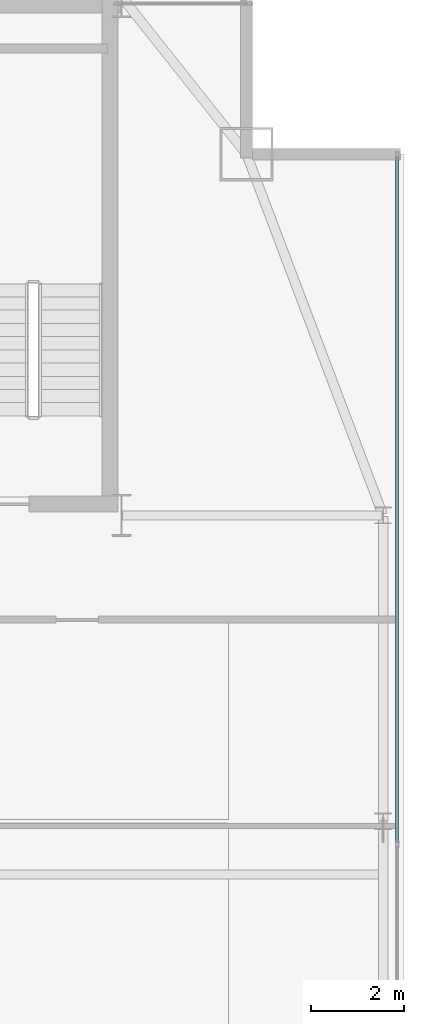
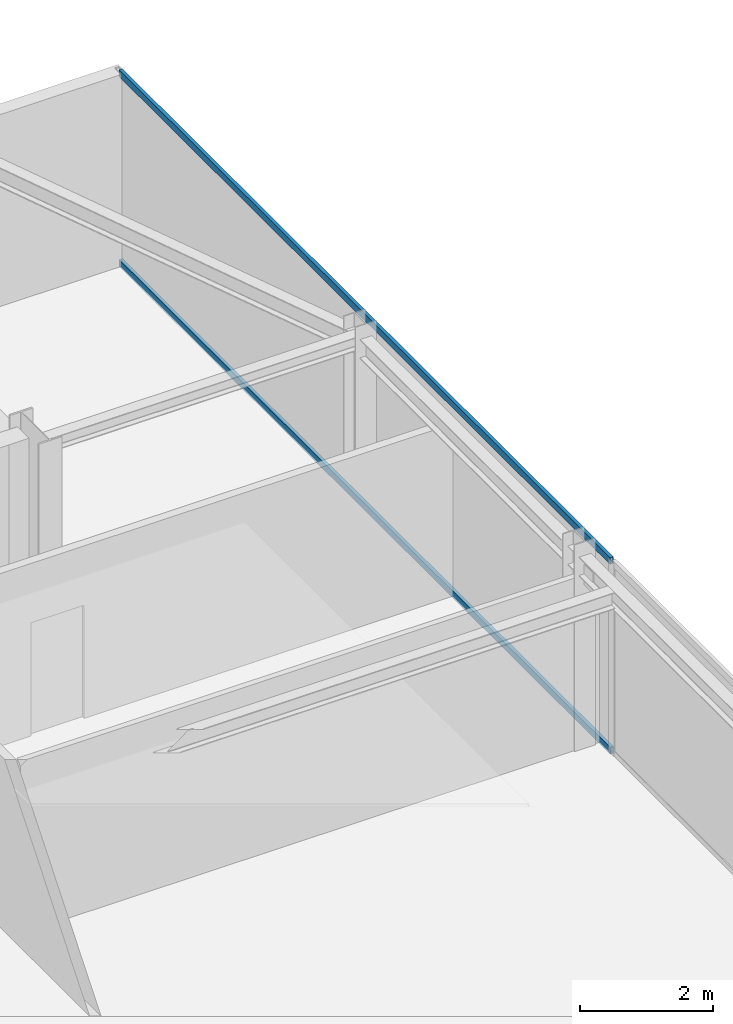
# One storey, part 20 of 30: 2 members, 1 element without a shape of its own.
"""IFC4 building model written with IfcOpenShell, lengths in metres."""

from ifc_helpers import new_model, si_unit, direction, frame, origin, origin_2d, place, context, subcontext, project, spatial, hollow_rectangle, extrude, source, transform, mapped, material, layer, layer_set, material_profile, profile_set, type_object, type_shapes, element, aggregate, save


model = new_model("IFC4")

# Units and contexts
model_context = context("Model", 3, precision=1e-05, world=origin(), true_north=direction((0.0, 1.0)))
body_context = subcontext(model_context, "Body", "Model", "MODEL_VIEW")
ifc_project = project(units=[si_unit("LENGTHUNIT", "METRE"), si_unit("AREAUNIT", "SQUARE_METRE"), si_unit("VOLUMEUNIT", "CUBIC_METRE"), si_unit("PLANEANGLEUNIT", "RADIAN"), si_unit("MASSUNIT", "GRAM", prefix="KILO")], contexts=[model_context])

# Site, building, storey
site_placement = place(None, origin())
site = spatial("IfcSite", under=ifc_project, at=site_placement, CompositionType="ELEMENT")
building_placement = place(site_placement, origin())
building = spatial("IfcBuilding", under=site, at=building_placement, Name="Varnel Quay Broadcast Tower", CompositionType="ELEMENT")
storey_placement = place(building_placement, frame((0.0, 0.0, 211.199951171875)))
storey = spatial("IfcBuildingStorey", under=building, at=storey_placement, Name="L52", CompositionType="ELEMENT", Elevation=211.199951171875)

# Curtain wall, members
ifc_material = material(Name="Anodised Bronze Aluminium 6063-T6", Category="aluminium")
ifc_layer = layer(ifc_material, 0.18994140625, Name="Anodised Bronze Aluminium 6063-T6")
ifc_layer_set = layer_set([ifc_layer], Name="Anodised Bronze Aluminium 6063-T6")
curtain_wall_type = type_object("IfcCurtainWallType", Name="CW_UpperTower", PredefinedType="NOTDEFINED", material=ifc_layer_set)
curtain_wall_placement = place(storey_placement, origin())
curtain_wall = element("IfcCurtainWall", 1, at=curtain_wall_placement, inside=storey, type_object=curtain_wall_type, Name="L52 East Unitised Curtain Wall", PredefinedType="NOTDEFINED")
ifc_material_profile = material_profile(ifc_material, hollow_rectangle(XDim=0.06005859375, YDim=0.125, WallThickness=0.0029296875, at=origin_2d()), Name="ALU60X125X3")
ifc_profile_set = profile_set([ifc_material_profile], Name="Anodised Bronze Aluminium 6063-T6")
member_type = type_object("IfcMemberType", Name="Tran_CWS-03", PredefinedType="USERDEFINED", material=ifc_profile_set)
shared_shape = source(origin(), body_context, "Body", "SweptSolid", [
    extrude(hollow_rectangle(XDim=0.06005859375, YDim=0.125, WallThickness=0.0029296875, at=origin_2d()), origin(), (0.0, 0.0, 1.0), 14.802490234375),
])
type_shapes(member_type, [shared_shape])
member_1_placement = place(storey_placement, frame((58.35009765625, 28.532470703125, 0.030029296875), z_axis=(0.0, 1.0, 0.0), x_axis=(-1.0, 0.0, 0.0)))
member_1 = element("IfcMember", 2, at=member_1_placement, type_object=member_type, Name="CWS-03 transom 2.1", ObjectType="TRANSOM", PredefinedType="USERDEFINED", context=body_context, shape_type="MappedRepresentation", body=[
    mapped(shared_shape, transform((0.0, 0.0, 0.0), x_axis=(1.0, 0.0, 0.0), y_axis=(0.0, 1.0, 0.0), z_axis=(0.0, 0.0, 1.0), scale=1.0)),
])
member_2_placement = place(storey_placement, frame((58.35009765625, 28.532470703125, 3.52001953125), z_axis=(0.0, 1.0, 0.0), x_axis=(-1.0, 0.0, 0.0)))
member_2 = element("IfcMember", 3, at=member_2_placement, type_object=member_type, Name="CWS-03 transom 2.2", ObjectType="TRANSOM", PredefinedType="USERDEFINED", context=body_context, shape_type="MappedRepresentation", body=[
    mapped(shared_shape, transform((0.0, 0.0, 0.0), x_axis=(1.0, 0.0, 0.0), y_axis=(0.0, 1.0, 0.0), z_axis=(0.0, 0.0, 1.0), scale=1.0)),
])
aggregate(curtain_wall, [member_1, member_2])

save(model, "model.ifc")
